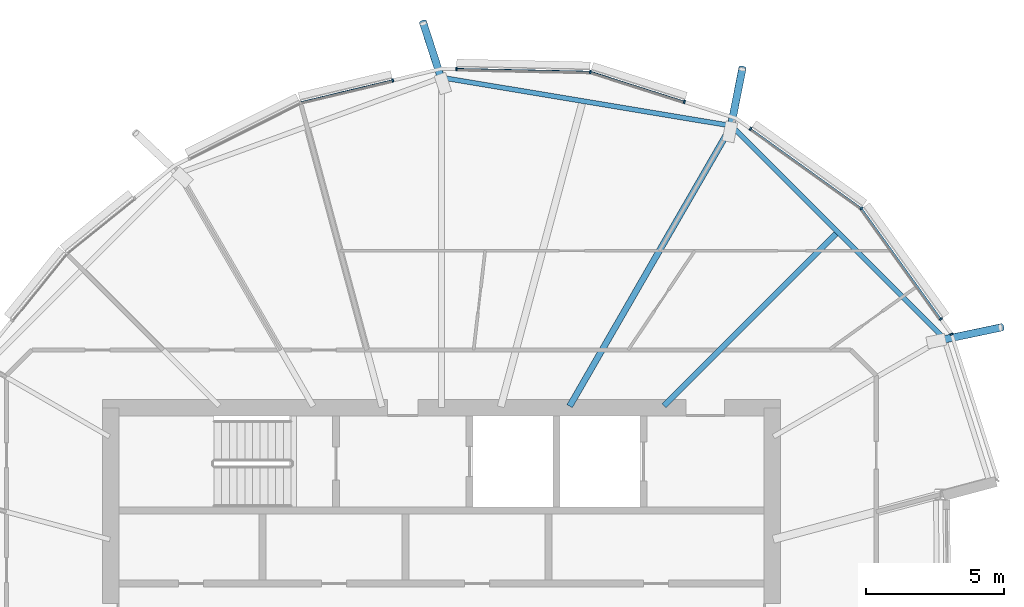
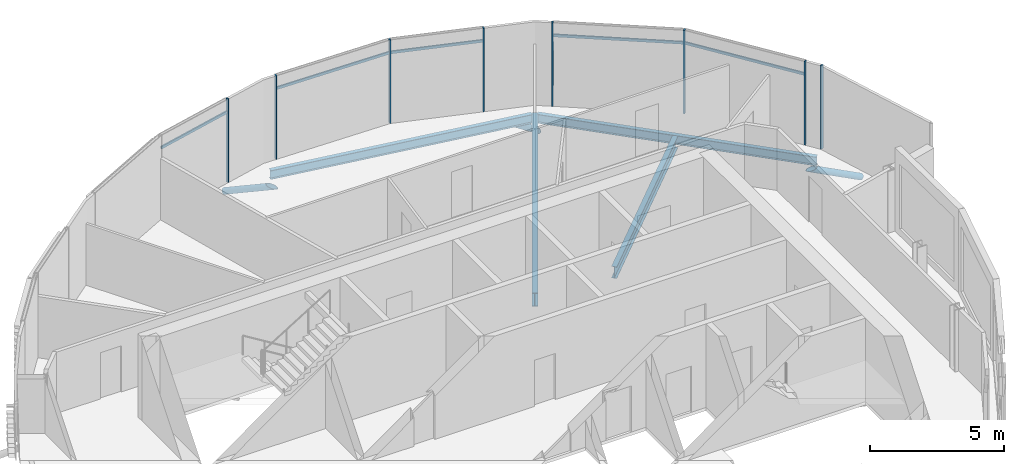
# One storey, part 16 of 35: 16 members, 4 beams, 1 element without a shape of its own.
"""IFC4 building model written with IfcOpenShell, lengths in metres."""

from ifc_helpers import new_model, si_unit, direction, frame, origin, origin_2d, place, context, subcontext, project, spatial, rectangle, hollow_circle, i_section, extrude, clip, halfspace, material, material_profile, profile_set, type_object, element, aggregate, save


model = new_model("IFC4")

# Units and contexts
model_context = context("Model", 3, precision=1e-05, world=origin(), true_north=direction((0.0, 1.0)))
body_context = subcontext(model_context, "Body", "Model", "MODEL_VIEW")
ifc_project = project(units=[si_unit("LENGTHUNIT", "METRE"), si_unit("AREAUNIT", "SQUARE_METRE"), si_unit("VOLUMEUNIT", "CUBIC_METRE"), si_unit("PLANEANGLEUNIT", "RADIAN"), si_unit("MASSUNIT", "GRAM", prefix="KILO")], contexts=[model_context])

# Site, building, storey
site_placement = place(None, origin())
site = spatial("IfcSite", under=ifc_project, at=site_placement, CompositionType="ELEMENT")
building_placement = place(site_placement, origin())
building = spatial("IfcBuilding", under=site, at=building_placement, Name="Rimbun Link Towers", CompositionType="ELEMENT")
storey_placement = place(building_placement, frame((0.0, 0.0, 196.89990234375)))
storey = spatial("IfcBuildingStorey", under=building, at=storey_placement, Name="L48", CompositionType="ELEMENT", Elevation=196.89990234375)

# Curtain wall, members
ifc_material_1 = material(Name="Aluminium 6063-T6 and low-iron glass", Category="aluminium")
curtain_wall_type = type_object("IfcCurtainWallType", Name="CW1-Z3 unitised vision wall (zone 3)", PredefinedType="NOTDEFINED", material=ifc_material_1)
curtain_wall_placement = place(storey_placement, origin())
curtain_wall = element("IfcCurtainWall", 1, at=curtain_wall_placement, inside=storey, type_object=curtain_wall_type, Name="CW1 L48 T2", PredefinedType="NOTDEFINED")
ifc_material_2 = material(Name="Aluminium 6063-T6", Category="aluminium")
ifc_material_profile_1 = material_profile(ifc_material_2, rectangle(XDim=0.1201171875, YDim=0.06005859375, at=origin_2d()), Name="MULLION 60X120")
ifc_profile_set_1 = profile_set([ifc_material_profile_1], Name="Aluminium 6063-T6")
member_type_1 = type_object("IfcMemberType", Name="CW1 mullion 60X120", PredefinedType="MULLION", material=ifc_profile_set_1)
member_1_placement = place(storey_placement, frame((42.964599609375, 18.118408203125, 0.0), z_axis=(0.0, 0.0, 1.0), x_axis=(0.583009333198, 0.81246545613, 0.0)))
member_1 = element("IfcMember", 2, at=member_1_placement, type_object=member_type_1, Name="CW1 mullion", PredefinedType="MULLION", context=body_context, shape_type="SweptSolid", body=[
    extrude(rectangle(XDim=0.1201171875, YDim=0.06005859375, at=origin_2d()), origin(), (0.0, 0.0, 1.0), 3.800048828125),
])
member_2_placement = place(storey_placement, frame((46.983642578125, 15.233642578125, 0.0), z_axis=(0.0, 0.0, 1.0), x_axis=(0.707106781187, 0.707106781187, 0.0)))
member_2 = element("IfcMember", 3, at=member_2_placement, type_object=member_type_1, Name="CW1 mullion", PredefinedType="MULLION", context=body_context, shape_type="SweptSolid", body=[
    extrude(rectangle(XDim=0.1201171875, YDim=0.06005859375, at=origin_2d()), origin(), (0.0, 0.0, 1.0), 3.800048828125),
])
member_3_placement = place(storey_placement, frame((37.1513671875, 20.1806640625, 0.0), z_axis=(0.0, 0.0, 1.0), x_axis=(0.16374971191, 0.9865019168, 0.0)))
member_3 = element("IfcMember", 4, at=member_3_placement, type_object=member_type_1, Name="CW1 mullion", PredefinedType="MULLION", context=body_context, shape_type="SweptSolid", body=[
    extrude(rectangle(XDim=0.1201171875, YDim=0.06005859375, at=origin_2d()), origin(), (0.0, 0.0, 1.0), 3.800048828125),
])
member_4_placement = place(storey_placement, frame((40.561279296875, 19.096923828125, 0.0), z_axis=(0.0, 0.0, 1.0), x_axis=(0.303071290464, 0.952967886603, 0.0)))
member_4 = element("IfcMember", 5, at=member_4_placement, type_object=member_type_1, Name="CW1 mullion", PredefinedType="MULLION", context=body_context, shape_type="SweptSolid", body=[
    extrude(rectangle(XDim=0.1201171875, YDim=0.06005859375, at=origin_2d()), origin(), (0.0, 0.0, 1.0), 3.800048828125),
])
member_5_placement = place(storey_placement, frame((32.301025390625, 20.283447265625, 0.0), z_axis=(0.0, 0.0, 1.0), x_axis=(0.021065527565, 0.999778097154, 0.0)))
member_5 = element("IfcMember", 6, at=member_5_placement, type_object=member_type_1, Name="CW1 mullion", PredefinedType="MULLION", context=body_context, shape_type="SweptSolid", body=[
    extrude(rectangle(XDim=0.1201171875, YDim=0.06005859375, at=origin_2d()), origin(), (0.0, 0.0, 1.0), 3.800048828125),
])
member_6_placement = place(storey_placement, frame((29.9853515625, 19.874755859375, 0.0), z_axis=(0.0, 0.0, 1.0), x_axis=(-0.23261560244, 0.972568754126, 0.0)))
member_6 = element("IfcMember", 7, at=member_6_placement, type_object=member_type_1, Name="CW1 mullion", PredefinedType="MULLION", context=body_context, shape_type="SweptSolid", body=[
    extrude(rectangle(XDim=0.1201171875, YDim=0.06005859375, at=origin_2d()), origin(), (0.0, 0.0, 1.0), 3.800048828125),
])
member_7_placement = place(storey_placement, frame((50.255859375, 10.669677734375, 0.0), z_axis=(0.0, 0.0, 1.0), x_axis=(0.952967886603, 0.303071290464, 0.0)))
member_7 = element("IfcMember", 8, at=member_7_placement, type_object=member_type_1, Name="CW1 mullion", PredefinedType="MULLION", context=body_context, shape_type="SweptSolid", body=[
    extrude(rectangle(XDim=0.1201171875, YDim=0.06005859375, at=origin_2d()), origin(), (0.0, 0.0, 1.0), 3.800048828125),
])
member_8_placement = place(storey_placement, frame((49.868408203125, 11.214599609375, 0.0), z_axis=(0.0, 0.0, 1.0), x_axis=(0.81246545613, 0.583009333198, 0.0)))
member_8 = element("IfcMember", 9, at=member_8_placement, type_object=member_type_1, Name="CW1 mullion", PredefinedType="MULLION", context=body_context, shape_type="SweptSolid", body=[
    extrude(rectangle(XDim=0.1201171875, YDim=0.06005859375, at=origin_2d()), origin(), (0.0, 0.0, 1.0), 3.800048828125),
])
ifc_material_3 = material(Name="Aluminium 6063-T6", Category="aluminium")
ifc_material_profile_2 = material_profile(ifc_material_3, rectangle(XDim=0.06005859375, YDim=0.1201171875, at=origin_2d()), Name="TRANSOM 60X120")
ifc_profile_set_2 = profile_set([ifc_material_profile_2], Name="Aluminium 6063-T6")
member_type_2 = type_object("IfcMemberType", Name="CW1 transom 60X120", PredefinedType="USERDEFINED", material=ifc_profile_set_2)
member_9_placement = place(storey_placement, frame((42.98779296875, 18.099365234375, 3.2001953125), z_axis=(0.812442893162, -0.583040775032, 0.0), x_axis=(0.583040775032, 0.812442893162, 0.0)))
member_9 = element("IfcMember", 10, at=member_9_placement, type_object=member_type_2, Name="CW1 transom", ObjectType="TRANSOM", PredefinedType="USERDEFINED", context=body_context, shape_type="SweptSolid", body=[
    extrude(rectangle(XDim=0.06005859375, YDim=0.1201171875, at=origin_2d()), origin(), (0.0, 0.0, 1.0), 4.87744140625),
])
member_10_placement = place(storey_placement, frame((37.187744140625, 20.167724609375, 3.2001953125), z_axis=(0.952955012801, -0.303111767468, 0.0), x_axis=(0.303111767468, 0.952955012801, 0.0)))
member_10 = element("IfcMember", 11, at=member_10_placement, type_object=member_type_2, Name="CW1 transom", ObjectType="TRANSOM", PredefinedType="USERDEFINED", context=body_context, shape_type="SweptSolid", body=[
    extrude(rectangle(XDim=0.06005859375, YDim=0.1201171875, at=origin_2d()), origin(), (0.0, 0.0, 1.0), 3.50927734375),
])
member_11_placement = place(storey_placement, frame((32.3310546875, 20.28076171875, 3.2001953125), z_axis=(0.999778828666, -0.021030781038, 0.0), x_axis=(0.021030781038, 0.999778828666, 0.0)))
member_11 = element("IfcMember", 12, at=member_11_placement, type_object=member_type_2, Name="CW1 transom", ObjectType="TRANSOM", PredefinedType="USERDEFINED", context=body_context, shape_type="SweptSolid", body=[
    extrude(rectangle(XDim=0.06005859375, YDim=0.1201171875, at=origin_2d()), origin(), (0.0, 0.0, 1.0), 4.78271484375),
])
member_12_placement = place(storey_placement, frame((26.670166015625, 19.079833984375, 3.2001953125), z_axis=(0.972581733642, 0.232561328227, 0.0), x_axis=(-0.232561328227, 0.972581733642, 0.0)))
member_12 = element("IfcMember", 13, at=member_12_placement, type_object=member_type_2, Name="CW1 transom", ObjectType="TRANSOM", PredefinedType="USERDEFINED", context=body_context, shape_type="SweptSolid", body=[
    extrude(rectangle(XDim=0.06005859375, YDim=0.1201171875, at=origin_2d()), origin(), (0.0, 0.0, 1.0), 3.37939453125),
])
member_13_placement = place(storey_placement, frame((47.005615234375, 15.200439453125, 3.2001953125), z_axis=(0.583040775032, -0.812442893162, 0.0), x_axis=(0.812442893162, 0.583040775032, 0.0)))
member_13 = element("IfcMember", 14, at=member_13_placement, type_object=member_type_2, Name="CW1 transom", ObjectType="TRANSOM", PredefinedType="USERDEFINED", context=body_context, shape_type="SweptSolid", body=[
    extrude(rectangle(XDim=0.06005859375, YDim=0.1201171875, at=origin_2d()), origin(), (0.0, 0.0, 1.0), 4.87744140625),
])
aggregate(curtain_wall, [member_1, member_2, member_3, member_4, member_5, member_6, member_7, member_8, member_9, member_10, member_11, member_12, member_13])

# Members
ifc_material_4 = material(Name="Steel S355J2H", Category="steel")
ifc_material_profile_3 = material_profile(ifc_material_4, hollow_circle(Radius=0.136474609375, WallThickness=0.012451171875, at=origin_2d()), Name="CHS 273x12.5")
ifc_profile_set_3 = profile_set([ifc_material_profile_3], Name="Steel S355J2H")
member_type_3 = type_object("IfcMemberType", Name="Floor edge link CHS 273x12.5", PredefinedType="BRACE", material=ifc_profile_set_3)
member_14_placement = place(storey_placement, frame((42.248291015625, 18.183837890625, -0.87158203125), z_axis=(0.169483852857, 0.858268576665, -0.484407136539), x_axis=(-0.981054754116, 0.19373066207, 0.0)))
element("IfcMember", 15, at=member_14_placement, inside=storey, type_object=member_type_3, Name="Floor edge link T2 L48 01", PredefinedType="BRACE", context=body_context, shape_type="Clipping", body=[
    clip(extrude(hollow_circle(Radius=0.136474609375, WallThickness=0.012451171875, at=origin_2d()), frame((0.0, 0.0, -0.513671875)), (0.0, 0.0, 1.0), 3.011474609375), halfspace(frame((0.0, 0.0, -0.24169921875), z_axis=(0.0, 0.87484268647, -0.484407136539)), False)),
])
member_15_placement = place(storey_placement, frame((31.75, 19.927978515625, -0.871337890625), z_axis=(-0.269625616817, 0.830927284246, -0.486684574495), x_axis=(-0.951177227967, -0.308645234854, 0.0)))
element("IfcMember", 16, at=member_15_placement, inside=storey, type_object=member_type_3, Name="Floor edge link T2 L48 03", PredefinedType="BRACE", context=body_context, shape_type="Clipping", body=[
    clip(extrude(hollow_circle(Radius=0.136474609375, WallThickness=0.012451171875, at=origin_2d()), frame((0.0, 0.0, -0.510498046875)), (0.0, 0.0, 1.0), 2.99072265625), halfspace(frame((0.0, 0.0, -0.239990234375), z_axis=(0.0, 0.873577772696, -0.486684574495)), False)),
])
member_16_placement = place(storey_placement, frame((49.85400390625, 10.452392578125, -0.67236328125), z_axis=(0.83441929413, 0.175132940405, -0.522563771006), x_axis=(-0.205410390357, 0.978675927738, 0.0)))
element("IfcMember", 17, at=member_16_placement, inside=storey, type_object=member_type_3, Name="Floor edge link T2 L48 23", PredefinedType="BRACE", context=body_context, shape_type="Clipping", body=[
    clip(extrude(hollow_circle(Radius=0.136474609375, WallThickness=0.012451171875, at=origin_2d()), frame((0.0, 0.0, -0.464599609375)), (0.0, 0.0, 1.0), 3.134033203125), halfspace(frame((0.0, 0.0, -0.21826171875), z_axis=(0.0, 0.852600202458, -0.522563771006)), False)),
])

# Beams
ifc_material_5 = material(Name="Steel S355J2", Category="steel")
ifc_material_profile_4 = material_profile(ifc_material_5, i_section(OverallWidth=0.177978515625, OverallDepth=0.406494140625, WebThickness=0.0078125, FlangeThickness=0.0126953125, at=origin_2d()), Name="UB 406x178x60")
ifc_profile_set_4 = profile_set([ifc_material_profile_4], Name="Steel S355J2")
beam_type_1 = type_object("IfcBeamType", Name="UB 406x178x60", PredefinedType="BEAM", material=ifc_profile_set_4)
beam_1_placement = place(storey_placement, frame((42.152587890625, 18.247314453125, -0.35302734375), z_axis=(-0.986440070616, 0.164121866563, 0.0), x_axis=(-0.164121866563, -0.986440070616, 0.0)))
element("IfcBeam", 18, at=beam_1_placement, inside=storey, type_object=beam_type_1, Name="Edge beam T2 L48 01-03", PredefinedType="BEAM", context=body_context, shape_type="SweptSolid", body=[
    extrude(i_section(OverallWidth=0.177978515625, OverallDepth=0.406494140625, WebThickness=0.0078125, FlangeThickness=0.0126953125, at=origin_2d()), origin(), (0.0, 0.0, 1.0), 10.42919921875),
])
beam_2_placement = place(storey_placement, frame((49.976318359375, 10.524169921875, -0.35302734375), z_axis=(-0.707106781187, 0.707106781187, 0.0), x_axis=(-0.707106781187, -0.707106781187, 0.0)))
element("IfcBeam", 19, at=beam_2_placement, inside=storey, type_object=beam_type_1, Name="Edge beam T2 L48 23-01", PredefinedType="BEAM", context=body_context, shape_type="SweptSolid", body=[
    extrude(i_section(OverallWidth=0.177978515625, OverallDepth=0.406494140625, WebThickness=0.0078125, FlangeThickness=0.0126953125, at=origin_2d()), origin(), (0.0, 0.0, 1.0), 10.774658203125),
])
ifc_material_6 = material(Name="Steel S355J2", Category="steel")
ifc_material_profile_5 = material_profile(ifc_material_6, i_section(OverallWidth=0.209228515625, OverallDepth=0.533203125, WebThickness=0.010009765625, FlangeThickness=0.015625, at=origin_2d()), Name="UB 533x210x92")
ifc_profile_set_5 = profile_set([ifc_material_profile_5], Name="Steel S355J2")
beam_type_2 = type_object("IfcBeamType", Name="UB 533x210x92", PredefinedType="BEAM", material=ifc_profile_set_5)
beam_3_placement = place(storey_placement, frame((39.82470703125, 8.07470703125, -0.41650390625), z_axis=(0.707106781187, 0.707106781187, 0.0), x_axis=(-0.707106781187, 0.707106781187, 0.0)))
element("IfcBeam", 20, at=beam_3_placement, inside=storey, type_object=beam_type_2, Name="Radial beam T2 L48 00", PredefinedType="BEAM", context=body_context, shape_type="SweptSolid", body=[
    extrude(i_section(OverallWidth=0.209228515625, OverallDepth=0.533203125, WebThickness=0.010009765625, FlangeThickness=0.015625, at=origin_2d()), origin(), (0.0, 0.0, 1.0), 8.820068359375),
])
ifc_material_7 = material(Name="Steel S355J2", Category="steel")
ifc_material_profile_6 = material_profile(ifc_material_7, i_section(OverallWidth=0.2275390625, OverallDepth=0.6025390625, WebThickness=0.010498046875, FlangeThickness=0.014892578125, at=origin_2d()), Name="UB 610x229x101")
ifc_profile_set_6 = profile_set([ifc_material_profile_6], Name="Steel S355J2")
beam_type_3 = type_object("IfcBeamType", Name="UB 610x229x101", PredefinedType="BEAM", material=ifc_profile_set_6)
beam_4_placement = place(storey_placement, frame((36.402099609375, 8.057861328125, -0.451171875), z_axis=(0.500009811963, 0.866019738771, 0.0), x_axis=(-0.866019738771, 0.500009811963, 0.0)))
element("IfcBeam", 21, at=beam_4_placement, inside=storey, type_object=beam_type_3, Name="Radial beam T2 L48 01", PredefinedType="BEAM", context=body_context, shape_type="SweptSolid", body=[
    extrude(i_section(OverallWidth=0.2275390625, OverallDepth=0.6025390625, WebThickness=0.010498046875, FlangeThickness=0.014892578125, at=origin_2d()), origin(), (0.0, 0.0, 1.0), 11.742431640625),
])

save(model, "model.ifc")
